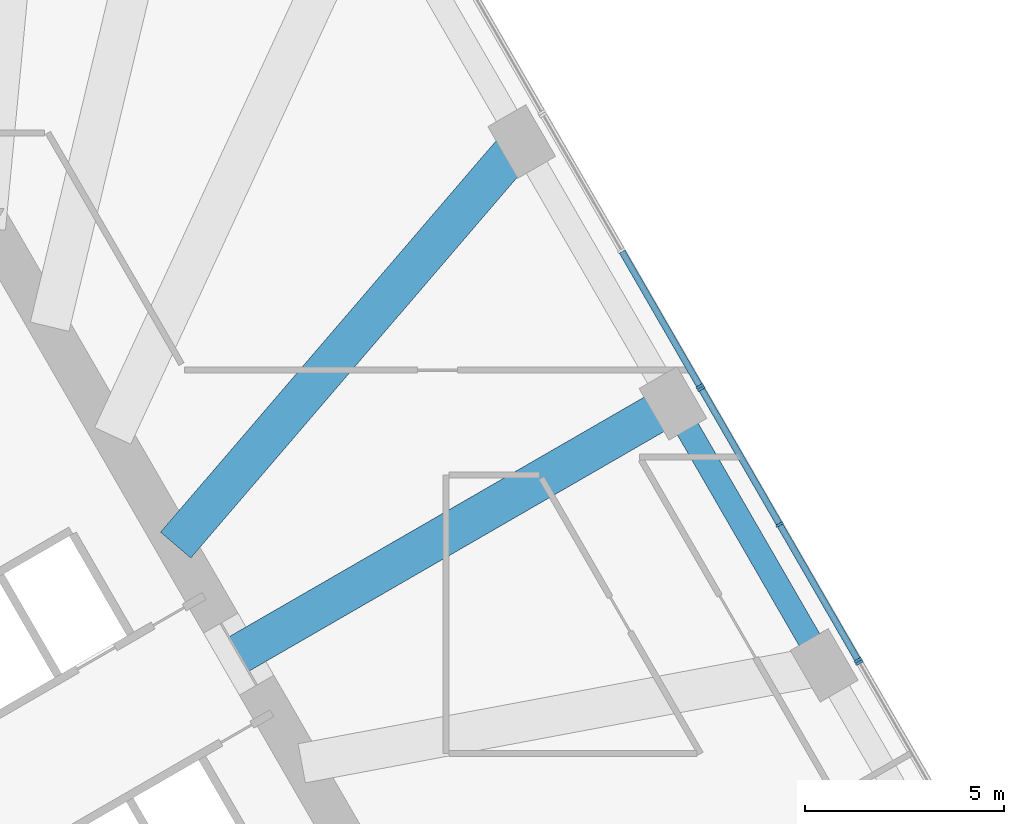
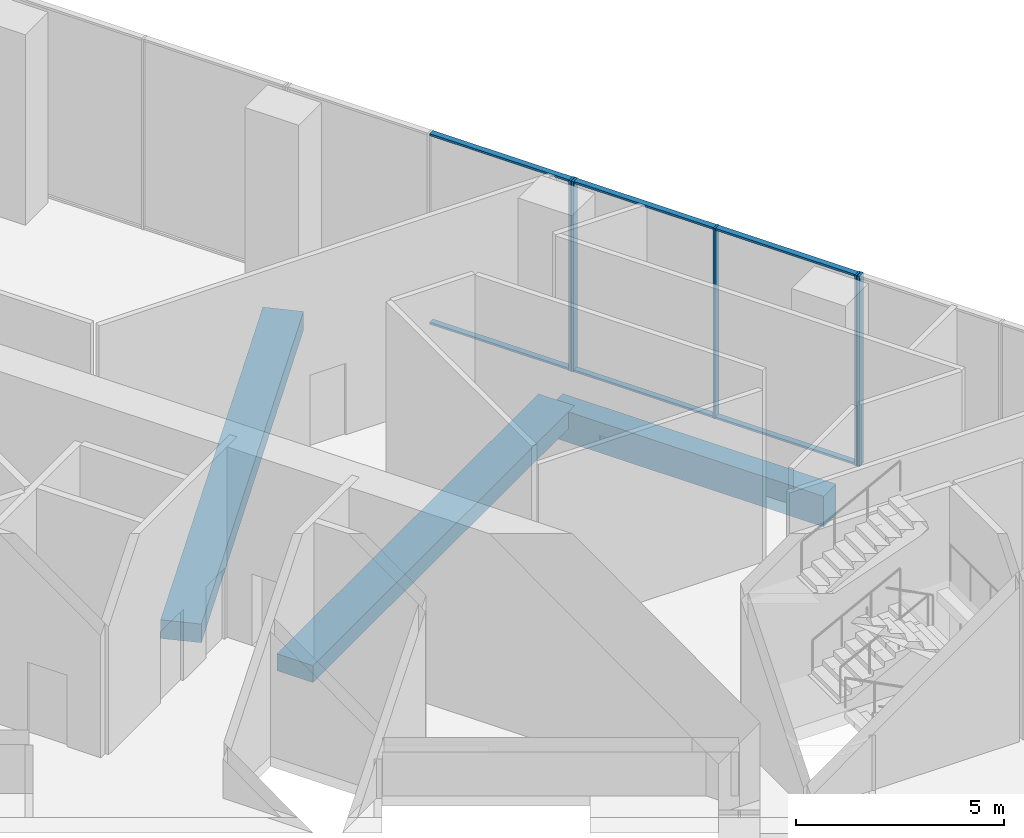
# One storey, part 12 of 36: 11 members, 3 beams, 3 elements without a shape of their own.
"""IFC4 building model written with IfcOpenShell, lengths in metres."""

from ifc_helpers import new_model, si_unit, direction, frame, origin, origin_2d, place, context, subcontext, project, spatial, rectangle, extrude, material, layer, layer_set, material_profile, profile_set, type_object, element, aggregate, save


model = new_model("IFC4")

# Units and contexts
model_context = context("Model", 3, precision=1e-05, world=origin(), true_north=direction((0.0, 1.0)))
body_context = subcontext(model_context, "Body", "Model", "MODEL_VIEW")
ifc_project = project(units=[si_unit("LENGTHUNIT", "METRE"), si_unit("AREAUNIT", "SQUARE_METRE"), si_unit("VOLUMEUNIT", "CUBIC_METRE"), si_unit("PLANEANGLEUNIT", "RADIAN"), si_unit("MASSUNIT", "GRAM", prefix="KILO")], contexts=[model_context])

# Site, building, storey
site_placement = place(None, origin())
site = spatial("IfcSite", under=ifc_project, at=site_placement, CompositionType="ELEMENT")
building_placement = place(site_placement, origin())
building = spatial("IfcBuilding", under=site, at=building_placement, Name="Triada Interchange Tower", CompositionType="ELEMENT")
storey_placement = place(building_placement, frame((0.0, 0.0, 8.5)))
storey = spatial("IfcBuildingStorey", under=building, at=storey_placement, Name="L01", CompositionType="ELEMENT", Elevation=8.5)

# Curtain wall, member
ifc_material_1 = material(Name="Aluminium framed glazing", Category="aluminium")
ifc_layer = layer(ifc_material_1, 0.199951171875)
ifc_layer_set = layer_set([ifc_layer], Name="Curtain wall Concourse glazed screen")
curtain_wall_type = type_object("IfcCurtainWallType", Name="Curtain wall Concourse glazed screen", PredefinedType="NOTDEFINED", material=ifc_layer_set)
curtain_wall_1_placement = place(storey_placement, origin())
curtain_wall_1 = element("IfcCurtainWall", 1, at=curtain_wall_1_placement, inside=storey, type_object=curtain_wall_type, Name="Concourse glazed screen CW019 L01", PredefinedType="NOTDEFINED")
ifc_material_2 = material(Name="Aluminium", Category="aluminium")
ifc_material_profile_1 = material_profile(ifc_material_2, rectangle(XDim=0.199951171875, YDim=0.06005859375, at=origin_2d()), Name="Aluminium mullion")
ifc_profile_set_1 = profile_set([ifc_material_profile_1], Name="Aluminium")
member_type_1 = type_object("IfcMemberType", Name="Mullion Concourse glazed screen 200x60", PredefinedType="MULLION", material=ifc_profile_set_1)
member_1_placement = place(storey_placement, frame((23.389892578125, 4.2880859375, 0.0), z_axis=(0.0, 0.0, 1.0), x_axis=(-0.866055473648, -0.499947913852, 0.0)))
member_1 = element("IfcMember", 2, at=member_1_placement, type_object=member_type_1, Name="CW019 mullion 3", PredefinedType="MULLION", context=body_context, shape_type="SweptSolid", body=[
    extrude(rectangle(XDim=0.199951171875, YDim=0.06005859375, at=origin_2d()), origin(), (0.0, 0.0, 1.0), 5.60009765625),
])
aggregate(curtain_wall_1, [member_1])

# Curtain wall, members
curtain_wall_2_placement = place(storey_placement, origin())
curtain_wall_2 = element("IfcCurtainWall", 3, at=curtain_wall_2_placement, inside=storey, type_object=curtain_wall_type, Name="Concourse glazed screen CW020 L01", PredefinedType="NOTDEFINED")
member_2_placement = place(storey_placement, frame((23.35400390625, 4.348876953125, 0.0), z_axis=(0.0, 0.0, 1.0), x_axis=(-0.866086968603, -0.499893351442, 0.0)))
member_2 = element("IfcMember", 4, at=member_2_placement, type_object=member_type_1, Name="CW020 mullion 1", PredefinedType="MULLION", context=body_context, shape_type="SweptSolid", body=[
    extrude(rectangle(XDim=0.199951171875, YDim=0.06005859375, at=origin_2d()), origin(), (0.0, 0.0, 1.0), 5.60009765625),
])
member_3_placement = place(storey_placement, frame((21.385498046875, 7.759521484375, 0.0), z_axis=(0.0, 0.0, 1.0), x_axis=(-0.866086968603, -0.499893351442, 0.0)))
member_3 = element("IfcMember", 5, at=member_3_placement, type_object=member_type_1, Name="CW020 mullion 2", PredefinedType="MULLION", context=body_context, shape_type="SweptSolid", body=[
    extrude(rectangle(XDim=0.199951171875, YDim=0.06005859375, at=origin_2d()), origin(), (0.0, 0.0, 1.0), 5.60009765625),
])
member_4_placement = place(storey_placement, frame((19.4169921875, 11.169921875, 0.0), z_axis=(0.0, 0.0, 1.0), x_axis=(-0.866086968603, -0.499893351442, 0.0)))
member_4 = element("IfcMember", 6, at=member_4_placement, type_object=member_type_1, Name="CW020 mullion 3", PredefinedType="MULLION", context=body_context, shape_type="SweptSolid", body=[
    extrude(rectangle(XDim=0.199951171875, YDim=0.06005859375, at=origin_2d()), origin(), (0.0, 0.0, 1.0), 5.60009765625),
])

# Curtain wall, member
curtain_wall_3_placement = place(storey_placement, origin())
curtain_wall_3 = element("IfcCurtainWall", 7, at=curtain_wall_3_placement, inside=storey, type_object=curtain_wall_type, Name="Concourse glazed screen CW021 L01", PredefinedType="NOTDEFINED")
member_5_placement = place(storey_placement, frame((19.381103515625, 11.22998046875, 0.0), z_axis=(0.0, 0.0, 1.0), x_axis=(-0.866086968603, -0.499893351442, 0.0)))
member_5 = element("IfcMember", 8, at=member_5_placement, type_object=member_type_1, Name="CW021 mullion 1", PredefinedType="MULLION", context=body_context, shape_type="SweptSolid", body=[
    extrude(rectangle(XDim=0.199951171875, YDim=0.06005859375, at=origin_2d()), origin(), (0.0, 0.0, 1.0), 5.60009765625),
])

# Beams
ifc_material_3 = material(Name="Concrete C50/60", Category="concrete")
ifc_material_profile_2 = material_profile(ifc_material_3, rectangle(XDim=1.0, YDim=0.5, at=origin_2d()), Name="RC 1000x500")
ifc_profile_set_2 = profile_set([ifc_material_profile_2], Name="Concrete C50/60")
beam_type_1 = type_object("IfcBeamType", Name="Radial band beam P RC 1000x500", PredefinedType="BEAM", material=ifc_profile_set_2)
beam_1_placement = place(storey_placement, frame((18.7060546875, 10.800048828125, -0.64990234375), z_axis=(-0.866027481415, -0.499996401421, 0.0), x_axis=(0.499996401421, -0.866027481415, 0.0)))
element("IfcBeam", 9, at=beam_1_placement, inside=storey, type_object=beam_type_1, Name="Radial band beam BP25 L01", PredefinedType="BEAM", context=body_context, shape_type="SweptSolid", body=[
    extrude(rectangle(XDim=1.0, YDim=0.5, at=origin_2d()), origin(), (0.0, 0.0, 1.0), 12.60009765625),
])
ifc_material_profile_3 = material_profile(ifc_material_3, rectangle(XDim=1.0, YDim=0.550048828125, at=origin_2d()), Name="RC 1000x550")
ifc_profile_set_3 = profile_set([ifc_material_profile_3], Name="Concrete C50/60")
beam_type_2 = type_object("IfcBeamType", Name="Radial band beam P RC 1000x550", PredefinedType="BEAM", material=ifc_profile_set_3)
beam_2_placement = place(storey_placement, frame((14.906005859375, 17.381103515625, -0.675048828125), z_axis=(-0.650979511823, -0.759095300464, 0.0), x_axis=(0.759095300464, -0.650979511823, 0.0)))
element("IfcBeam", 10, at=beam_2_placement, inside=storey, type_object=beam_type_2, Name="Radial band beam BP26 L01", PredefinedType="BEAM", context=body_context, shape_type="SweptSolid", body=[
    extrude(rectangle(XDim=1.0, YDim=0.550048828125, at=origin_2d()), origin(), (0.0, 0.0, 1.0), 13.35693359375),
])
ifc_material_profile_4 = material_profile(ifc_material_3, rectangle(XDim=0.60009765625, YDim=0.89990234375, at=origin_2d()), Name="RC 600x900")
ifc_profile_set_4 = profile_set([ifc_material_profile_4], Name="Concrete C50/60")
beam_type_3 = type_object("IfcBeamType", Name="Spandrel beam P RC 600x900", PredefinedType="BEAM", material=ifc_profile_set_4)
beam_3_placement = place(storey_placement, frame((22.506103515625, 4.218994140625, -0.85009765625), z_axis=(-0.500046891162, 0.865998329467, 0.0), x_axis=(-0.865998329467, -0.500046891162, 0.0)))
element("IfcBeam", 11, at=beam_3_placement, inside=storey, type_object=beam_type_3, Name="Spandrel beam EP24 L01", PredefinedType="BEAM", context=body_context, shape_type="SweptSolid", body=[
    extrude(rectangle(XDim=0.60009765625, YDim=0.89990234375, at=origin_2d()), origin(), (0.0, 0.0, 1.0), 7.599365234375),
])

# Member
ifc_material_profile_5 = material_profile(ifc_material_2, rectangle(XDim=0.159912109375, YDim=0.06005859375, at=origin_2d()), Name="Aluminium transom")
ifc_profile_set_5 = profile_set([ifc_material_profile_5], Name="Aluminium")
member_type_2 = type_object("IfcMemberType", Name="Transom Concourse glazed screen 160x60", PredefinedType="USERDEFINED", material=ifc_profile_set_5)
member_6_placement = place(storey_placement, frame((23.339111328125, 4.375, 0.030029296875), z_axis=(-0.499951349668, 0.866053490245, 0.0), x_axis=(-0.866053490245, -0.499951349668, 0.0)))
member_6 = element("IfcMember", 12, at=member_6_placement, type_object=member_type_2, Name="CW020 transom 1.1", ObjectType="TRANSOM", PredefinedType="USERDEFINED", context=body_context, shape_type="SweptSolid", body=[
    extrude(rectangle(XDim=0.159912109375, YDim=0.06005859375, at=origin_2d()), origin(), (0.0, 0.0, 1.0), 3.8779296875),
])

member_7_placement = place(storey_placement, frame((23.339111328125, 4.375, 5.570068359375), z_axis=(-0.499951349668, 0.866053490245, 0.0), x_axis=(-0.866053490245, -0.499951349668, 0.0)))
member_7 = element("IfcMember", 13, at=member_7_placement, type_object=member_type_2, Name="CW020 transom 1.2", ObjectType="TRANSOM", PredefinedType="USERDEFINED", context=body_context, shape_type="SweptSolid", body=[
    extrude(rectangle(XDim=0.159912109375, YDim=0.06005859375, at=origin_2d()), origin(), (0.0, 0.0, 1.0), 3.8779296875),
])

member_8_placement = place(storey_placement, frame((21.37060546875, 7.785400390625, 0.030029296875), z_axis=(-0.499924090959, 0.866069225454, 0.0), x_axis=(-0.866069225454, -0.499924090959, 0.0)))
member_8 = element("IfcMember", 14, at=member_8_placement, type_object=member_type_2, Name="CW020 transom 2.1", ObjectType="TRANSOM", PredefinedType="USERDEFINED", context=body_context, shape_type="SweptSolid", body=[
    extrude(rectangle(XDim=0.159912109375, YDim=0.06005859375, at=origin_2d()), origin(), (0.0, 0.0, 1.0), 3.8779296875),
])

member_9_placement = place(storey_placement, frame((21.37060546875, 7.785400390625, 5.570068359375), z_axis=(-0.499924090959, 0.866069225454, 0.0), x_axis=(-0.866069225454, -0.499924090959, 0.0)))
member_9 = element("IfcMember", 15, at=member_9_placement, type_object=member_type_2, Name="CW020 transom 2.2", ObjectType="TRANSOM", PredefinedType="USERDEFINED", context=body_context, shape_type="SweptSolid", body=[
    extrude(rectangle(XDim=0.159912109375, YDim=0.06005859375, at=origin_2d()), origin(), (0.0, 0.0, 1.0), 3.8779296875),
])

aggregate(curtain_wall_2, [member_2, member_3, member_4, member_6, member_7, member_8, member_9])

member_10_placement = place(storey_placement, frame((19.365966796875, 11.255859375, 0.030029296875), z_axis=(-0.499876867849, 0.866096482494, 0.0), x_axis=(-0.866096482494, -0.499876867849, 0.0)))
member_10 = element("IfcMember", 16, at=member_10_placement, type_object=member_type_2, Name="CW021 transom 1.1", ObjectType="TRANSOM", PredefinedType="USERDEFINED", context=body_context, shape_type="SweptSolid", body=[
    extrude(rectangle(XDim=0.159912109375, YDim=0.06005859375, at=origin_2d()), origin(), (0.0, 0.0, 1.0), 3.8779296875),
])

member_11_placement = place(storey_placement, frame((19.365966796875, 11.255859375, 5.570068359375), z_axis=(-0.499876867849, 0.866096482494, 0.0), x_axis=(-0.866096482494, -0.499876867849, 0.0)))
member_11 = element("IfcMember", 17, at=member_11_placement, type_object=member_type_2, Name="CW021 transom 1.2", ObjectType="TRANSOM", PredefinedType="USERDEFINED", context=body_context, shape_type="SweptSolid", body=[
    extrude(rectangle(XDim=0.159912109375, YDim=0.06005859375, at=origin_2d()), origin(), (0.0, 0.0, 1.0), 3.8779296875),
])

aggregate(curtain_wall_3, [member_5, member_10, member_11])

save(model, "model.ifc")
